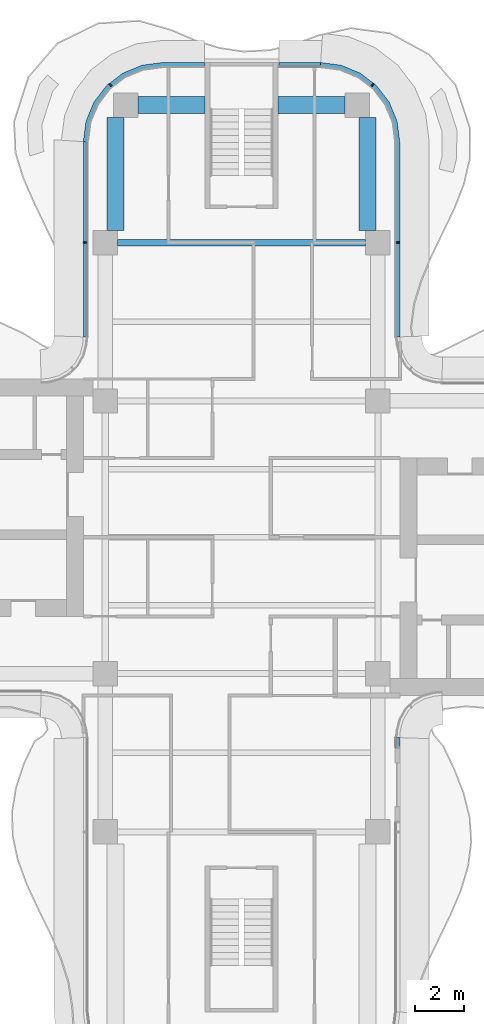
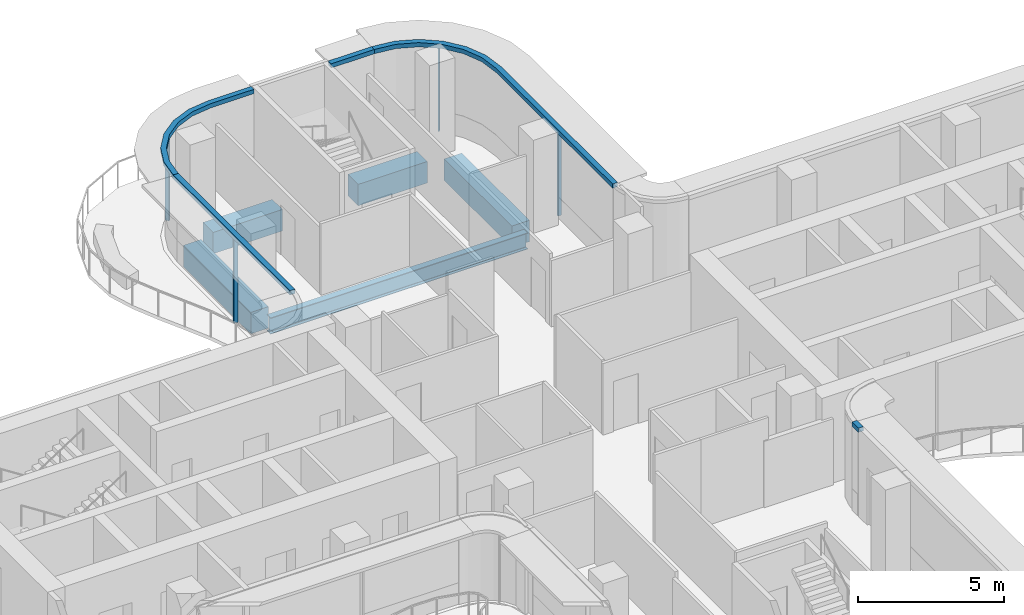
# One storey, part 7 of 16: 9 members, 5 beams, 5 elements without a shape of their own.
"""IFC4 building model written with IfcOpenShell, lengths in metres."""

from ifc_helpers import new_model, si_unit, direction, frame, origin, origin_2d, place, context, subcontext, project, spatial, polyline, rectangle, i_section, outline, extrude, source, transform, mapped, material, layer, layer_set, material_profile, profile_set, type_object, element, aggregate, save


model = new_model("IFC4")

# Units and contexts
model_context = context("Model", 3, precision=1e-05, world=origin(), true_north=direction((0.0, 1.0)))
body_context = subcontext(model_context, "Body", "Model", "MODEL_VIEW")
ifc_project = project(units=[si_unit("LENGTHUNIT", "METRE"), si_unit("AREAUNIT", "SQUARE_METRE"), si_unit("VOLUMEUNIT", "CUBIC_METRE"), si_unit("PLANEANGLEUNIT", "RADIAN"), si_unit("MASSUNIT", "GRAM", prefix="KILO")], contexts=[model_context])

# Site, building, storey
site_placement = place(None, origin())
site = spatial("IfcSite", under=ifc_project, at=site_placement, CompositionType="ELEMENT")
building_placement = place(site_placement, origin())
building = spatial("IfcBuilding", under=site, at=building_placement, Name="Trellis Farm Tower", CompositionType="ELEMENT")
storey_placement = place(building_placement, frame((0.0, 0.0, 314.5)))
storey = spatial("IfcBuildingStorey", under=building, at=storey_placement, Name="L71", CompositionType="ELEMENT", Elevation=314.5)

# Beams
ifc_material_1 = material(Name="Steel S355", Category="steel")
ifc_material_profile_1 = material_profile(ifc_material_1, i_section(OverallWidth=0.253662109375, OverallDepth=0.68359375, WebThickness=0.012451171875, FlangeThickness=0.021728515625, FilletRadius=0.01513671875, at=origin_2d()), Name="UB 686x254x140")
ifc_profile_set_1 = profile_set([ifc_material_profile_1], Name="Steel S355")
beam_type_1 = type_object("IfcBeamType", Name="UB 686x254x140", PredefinedType="BEAM", material=ifc_profile_set_1)
shared_shape_1 = source(origin(), body_context, "Body", "SweptSolid", [
    extrude(i_section(OverallWidth=0.253662109375, OverallDepth=0.68359375, WebThickness=0.012451171875, FlangeThickness=0.021728515625, FilletRadius=0.01513671875, at=origin_2d()), origin(), (0.0, 0.0, 1.0), 10.2001953125),
])
beam_placement = place(storey_placement, frame((-5.10009765625, 12.10009765625, -0.541748046875), z_axis=(1.0, 0.0, 0.0), x_axis=(0.0, 1.0, 0.0)))
element("IfcBeam", 1, at=beam_placement, inside=storey, type_object=beam_type_1, Name="Girder", PredefinedType="BEAM", context=body_context, shape_type="MappedRepresentation", body=[
    mapped(shared_shape_1, transform((0.0, 0.0, 0.0))),
])
ifc_material_2 = material(Name="Concrete C60/75", Category="concrete")
ifc_material_profile_2 = material_profile(ifc_material_2, rectangle(XDim=0.699951171875, YDim=0.89990234375, at=origin_2d()), Name="RC spandrel beam 700x900 C60/75")
ifc_profile_set_2 = profile_set([ifc_material_profile_2], Name="Concrete C60/75")
beam_type_2 = type_object("IfcBeamType", Name="RC spandrel beam 700x900 C60/75", PredefinedType="SPANDREL", material=ifc_profile_set_2)
shared_shape_2 = source(origin(), body_context, "Body", "SweptSolid", [
    extrude(rectangle(XDim=0.699951171875, YDim=0.89990234375, at=origin_2d()), origin(), (0.0, 0.0, 1.0), 4.64990234375),
])
for number, where, z_axis, x_axis, name in (
    (2, (-5.175048828125, 12.60009765625, -0.64990234375), (0.0, 1.0, 0.0), (-1.0, 0.0, 0.0), "Girder"),
    (3, (5.175048828125, 12.60009765625, -0.64990234375), (0.0, 1.0, 0.0), (-1.0, 0.0, 0.0), "Girder"),
):
    element("IfcBeam", number, at=place(storey_placement, frame(where, z_axis=z_axis, x_axis=x_axis)), inside=storey, type_object=beam_type_2, Name=name, PredefinedType="SPANDREL", context=body_context, shape_type="MappedRepresentation", body=[
        mapped(shared_shape_2, transform((0.0, 0.0, 0.0))),
    ])
shared_shape_3 = source(origin(), body_context, "Body", "SweptSolid", [
    extrude(rectangle(XDim=0.699951171875, YDim=0.89990234375, at=origin_2d()), origin(), (0.0, 0.0, 1.0), 2.75),
])
for number, where, z_axis, x_axis, name in (
    (4, (-4.25, 17.75, -0.64990234375), (1.0, 0.0, 0.0), (0.0, 1.0, 0.0), "Girder"),
    (5, (1.5, 17.75, -0.64990234375), (1.0, 0.0, 0.0), (0.0, 1.0, 0.0), "Girder"),
):
    element("IfcBeam", number, at=place(storey_placement, frame(where, z_axis=z_axis, x_axis=x_axis)), inside=storey, type_object=beam_type_2, Name=name, PredefinedType="SPANDREL", context=body_context, shape_type="MappedRepresentation", body=[
        mapped(shared_shape_3, transform((0.0, 0.0, 0.0))),
    ])

# Curtain wall, member
ifc_material_3 = material(Name="Aluminium and glass curtain wall", Category="aluminium")
ifc_layer_1 = layer(ifc_material_3, 0.18994140625)
ifc_layer_set_1 = layer_set([ifc_layer_1], Name="RIBBON CURTAIN WALL CW1")
curtain_wall_type = type_object("IfcCurtainWallType", Name="RIBBON CURTAIN WALL CW1", PredefinedType="NOTDEFINED", material=ifc_layer_set_1)
placement_1 = place(storey_placement, origin())
curtain_wall_1 = element("IfcCurtainWall", 6, at=placement_1, inside=storey, type_object=curtain_wall_type, Name="CW1 005", PredefinedType="NOTDEFINED")
ifc_material_4 = material(Name="Aluminium extrusion 6063-T6", Category="aluminium")
ifc_layer_2 = layer(ifc_material_4, 0.199951171875)
ifc_layer_set_2 = layer_set([ifc_layer_2], Name="Aluminium extrusion 6063-T6")
member_type_1 = type_object("IfcMemberType", Name="CW1 TRANSOM 200x180", PredefinedType="USERDEFINED", material=ifc_layer_set_2)
shared_shape_4 = source(origin(), body_context, "Body", "SweptSolid", [
    extrude(outline(polyline([(6.5, -8.665771484375), (6.5, -8.2314453125), (6.300048828125, -8.224853515625), (6.300048828125, -8.665771484375), (6.5, -8.665771484375)])), origin(), (0.0, 0.0, 1.0), 0.179931640625),
])
placement_2 = place(storey_placement, frame((0.0, 0.0, 3.52001953125)))
member_1 = element("IfcMember", 7, at=placement_2, type_object=member_type_1, Name="TR1 005", ObjectType="TRANSOM", PredefinedType="USERDEFINED", context=body_context, shape_type="MappedRepresentation", body=[
    mapped(shared_shape_4, transform((0.0, 0.0, 0.0))),
])
aggregate(curtain_wall_1, [member_1])

# Curtain wall, members
curtain_wall_2 = element("IfcCurtainWall", 8, at=placement_1, inside=storey, type_object=curtain_wall_type, Name="CW1 009", PredefinedType="NOTDEFINED")
ifc_material_profile_3 = material_profile(ifc_material_4, rectangle(XDim=0.06005859375, YDim=0.14990234375, at=origin_2d()), Name="MULLION 60x150")
ifc_profile_set_3 = profile_set([ifc_material_profile_3], Name="Aluminium extrusion 6063-T6")
member_type_2 = type_object("IfcMemberType", Name="CW1 MULLION 60x150", PredefinedType="MULLION", material=ifc_profile_set_3)
shared_shape_5 = source(origin(), body_context, "Body", "SweptSolid", [
    extrude(rectangle(XDim=0.06005859375, YDim=0.14990234375, at=origin_2d()), origin(), (0.0, 0.0, 1.0), 3.52001953125),
])
member_2_placement = place(storey_placement, frame((6.425048828125, 12.10009765625, 0.0), z_axis=(0.0, 0.0, 1.0), x_axis=(0.0, 1.0, 0.0)))
member_2 = element("IfcMember", 9, at=member_2_placement, type_object=member_type_2, Name="MU1 009-01", PredefinedType="MULLION", context=body_context, shape_type="MappedRepresentation", body=[
    mapped(shared_shape_5, transform((0.0, 0.0, 0.0))),
])
member_3_placement = place(storey_placement, frame((5.385498046875, 18.578369140625, 0.0), z_axis=(0.0, 0.0, 1.0), x_axis=(-0.793353340291, 0.608761429009, 0.0)))
member_3 = element("IfcMember", 10, at=member_3_placement, type_object=member_type_2, Name="MU1 009-02", PredefinedType="MULLION", context=body_context, shape_type="MappedRepresentation", body=[
    mapped(shared_shape_5, transform((0.0, 0.0, 0.0))),
])

# Curtain wall, member
curtain_wall_3 = element("IfcCurtainWall", 11, at=placement_1, inside=storey, type_object=curtain_wall_type, Name="CW1 011", PredefinedType="NOTDEFINED")
member_4_placement = place(storey_placement, frame((-5.385498046875, 18.578369140625, 0.0), z_axis=(0.0, 0.0, 1.0), x_axis=(-0.793353340291, -0.608761429009, 0.0)))
member_4 = element("IfcMember", 12, at=member_4_placement, type_object=member_type_2, Name="MU1 011-01", PredefinedType="MULLION", context=body_context, shape_type="MappedRepresentation", body=[
    mapped(shared_shape_5, transform((0.0, 0.0, 0.0))),
])

curtain_wall_4 = element("IfcCurtainWall", 13, at=placement_1, inside=storey, type_object=curtain_wall_type, Name="CW1 012", PredefinedType="NOTDEFINED")
member_5_placement = place(storey_placement, frame((-6.425048828125, 12.10009765625, 0.0), z_axis=(0.0, 0.0, 1.0), x_axis=(0.0, -1.0, 0.0)))
member_5 = element("IfcMember", 14, at=member_5_placement, type_object=member_type_2, Name="MU1 012-01", PredefinedType="MULLION", context=body_context, shape_type="MappedRepresentation", body=[
    mapped(shared_shape_5, transform((0.0, 0.0, 0.0))),
])

# Member
shared_shape_6 = source(origin(), body_context, "Body", "SweptSolid", [
    extrude(outline(polyline([(6.5, 8.2314453125), (6.5, 16.25), (6.38916015625, 17.091064453125), (6.064697265625, 17.875), (5.548095703125, 18.548095703125), (4.875, 19.064697265625), (4.091064453125, 19.38916015625), (3.25, 19.5), (3.23681640625, 19.300048828125), (4.0390625, 19.1943359375), (4.774169921875, 18.889892578125), (5.405517578125, 18.405517578125), (5.889892578125, 17.774169921875), (6.1943359375, 17.0390625), (6.300048828125, 16.23681640625), (6.300048828125, 8.224853515625), (6.5, 8.2314453125)])), origin(), (0.0, 0.0, 1.0), 0.179931640625),
])
member_6 = element("IfcMember", 15, at=placement_2, type_object=member_type_1, Name="TR1 009", ObjectType="TRANSOM", PredefinedType="USERDEFINED", context=body_context, shape_type="MappedRepresentation", body=[
    mapped(shared_shape_6, transform((0.0, 0.0, 0.0))),
])

aggregate(curtain_wall_2, [member_2, member_3, member_6])

# Curtain wall, member
curtain_wall_5 = element("IfcCurtainWall", 16, at=placement_1, inside=storey, type_object=curtain_wall_type, Name="CW1 010", PredefinedType="NOTDEFINED")
shared_shape_7 = source(origin(), body_context, "Body", "SweptSolid", [
    extrude(outline(polyline([(3.25, 19.5), (1.530029296875, 19.5), (1.530029296875, 19.300048828125), (3.23681640625, 19.300048828125), (3.25, 19.5)])), origin(), (0.0, 0.0, 1.0), 0.179931640625),
])
member_7 = element("IfcMember", 17, at=placement_2, type_object=member_type_1, Name="TR1 010", ObjectType="TRANSOM", PredefinedType="USERDEFINED", context=body_context, shape_type="MappedRepresentation", body=[
    mapped(shared_shape_7, transform((0.0, 0.0, 0.0))),
])
aggregate(curtain_wall_5, [member_7])

# Member
shared_shape_8 = source(origin(), body_context, "Body", "SweptSolid", [
    extrude(outline(polyline([(-6.5, 16.25), (-6.5, 8.2314453125), (-6.300048828125, 8.224853515625), (-6.300048828125, 16.23681640625), (-6.5, 16.25)])), origin(), (0.0, 0.0, 1.0), 0.179931640625),
])
member_8 = element("IfcMember", 18, at=placement_2, type_object=member_type_1, Name="TR1 012", ObjectType="TRANSOM", PredefinedType="USERDEFINED", context=body_context, shape_type="MappedRepresentation", body=[
    mapped(shared_shape_8, transform((0.0, 0.0, 0.0))),
])

aggregate(curtain_wall_4, [member_5, member_8])

shared_shape_9 = source(origin(), body_context, "Body", "SweptSolid", [
    extrude(outline(polyline([(-1.530029296875, 19.5), (-3.25, 19.5), (-4.091064453125, 19.38916015625), (-4.875, 19.064697265625), (-5.548095703125, 18.548095703125), (-6.064697265625, 17.875), (-6.38916015625, 17.091064453125), (-6.5, 16.25), (-6.300048828125, 16.23681640625), (-6.1943359375, 17.0390625), (-5.889892578125, 17.774169921875), (-5.405517578125, 18.405517578125), (-4.774169921875, 18.889892578125), (-4.0390625, 19.1943359375), (-3.23681640625, 19.300048828125), (-1.530029296875, 19.300048828125), (-1.530029296875, 19.5)])), origin(), (0.0, 0.0, 1.0), 0.179931640625),
])
member_9 = element("IfcMember", 19, at=placement_2, type_object=member_type_1, Name="TR1 011", ObjectType="TRANSOM", PredefinedType="USERDEFINED", context=body_context, shape_type="MappedRepresentation", body=[
    mapped(shared_shape_9, transform((0.0, 0.0, 0.0))),
])

aggregate(curtain_wall_3, [member_4, member_9])

save(model, "model.ifc")
